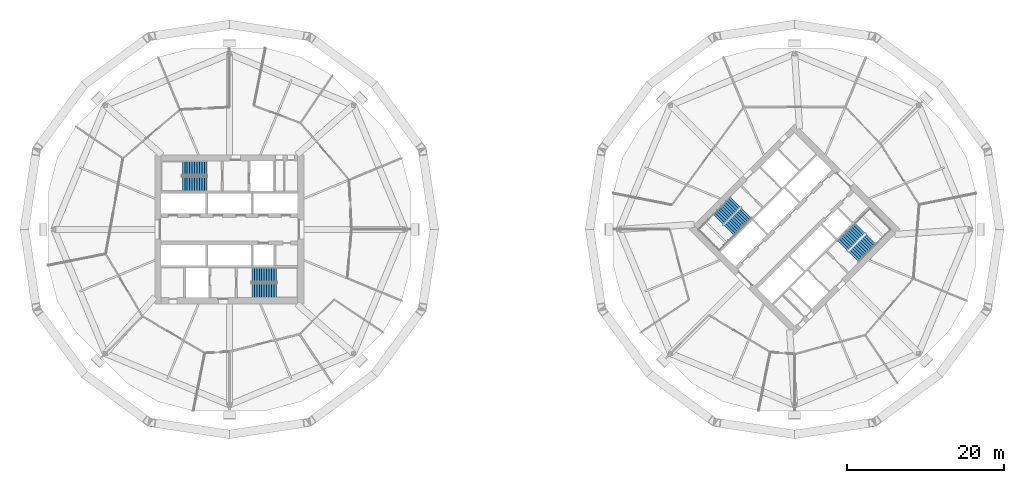
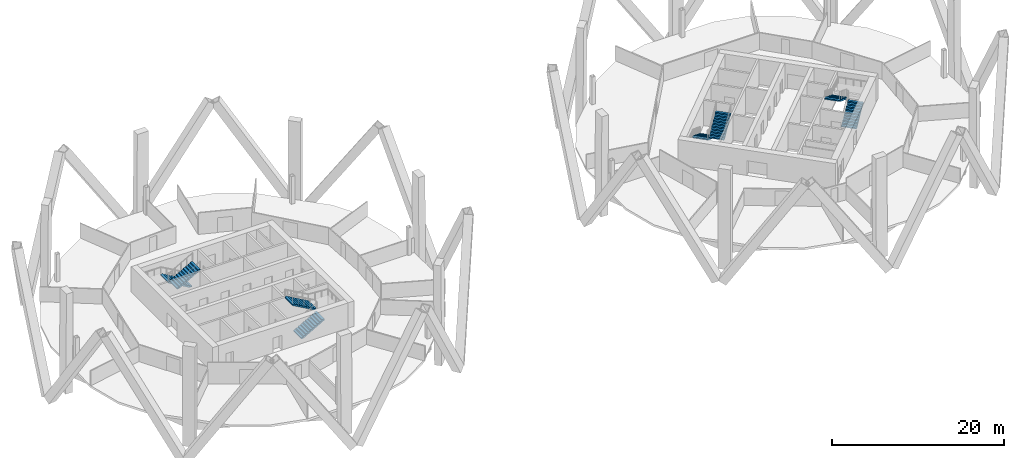
# One storey, part 8 of 10: 8 stair flights, 4 elements without a shape of their own.
"""IFC4 building model written with IfcOpenShell, lengths in metres."""

from ifc_helpers import new_model, si_unit, direction, frame, origin, place, context, subcontext, project, spatial, polyline, outline, extrude, material, type_object, element, aggregate, save


model = new_model("IFC4")

# Units and contexts
model_context = context("Model", 3, precision=1e-05, world=origin(), true_north=direction((0.0, 1.0)))
body_context = subcontext(model_context, "Body", "Model", "MODEL_VIEW")
ifc_project = project(units=[si_unit("LENGTHUNIT", "METRE"), si_unit("AREAUNIT", "SQUARE_METRE"), si_unit("VOLUMEUNIT", "CUBIC_METRE"), si_unit("PLANEANGLEUNIT", "RADIAN"), si_unit("MASSUNIT", "GRAM", prefix="KILO")], contexts=[model_context])

# Site, building, storey
site_placement = place(None, origin())
site = spatial("IfcSite", under=ifc_project, at=site_placement, CompositionType="ELEMENT")
building_placement = place(site_placement, origin())
building = spatial("IfcBuilding", under=site, at=building_placement, Name="Ogive Gate Towers", CompositionType="ELEMENT")
storey_placement = place(building_placement, frame((0.0, 0.0, 119.10009765625)))
storey = spatial("IfcBuildingStorey", under=building, at=storey_placement, Name="L28", CompositionType="ELEMENT", Elevation=119.10009765625)

# Stair, stair flights
ifc_material = material(Name="Concrete C40/50", Category="concrete")
stair_type = type_object("IfcStairType", Name="Escape stair 1840 wide", PredefinedType="HALF_TURN_STAIR", material=ifc_material)
stair_1_placement = place(storey_placement, origin())
stair_1 = element("IfcStair", 1, at=stair_1_placement, inside=storey, type_object=stair_type, Name="L28 Escape stair 1", PredefinedType="HALF_TURN_STAIR")
stair_flight_type = type_object("IfcStairFlightType", Name="Stair flight 1840 wide", PredefinedType="STRAIGHT", material=ifc_material)
stair_flight_1_placement = place(storey_placement, frame((-38.864990234375, 7.780029296875, 0.0), z_axis=(0.0, 0.0, 1.0), x_axis=(-1.0, 0.0, 0.0)))
stair_flight_1 = element("IfcStairFlight", 2, at=stair_flight_1_placement, type_object=stair_flight_type, Name="ST1 flight 1", NumberOfRisers=11, NumberOfTreads=10, PredefinedType="STRAIGHT", RiserHeight=0.177272727, TreadLength=0.313636364, context=body_context, shape_type="SweptSolid", body=[
    extrude(outline(polyline([(0.0, 0.0), (0.0, 0.17724609375), (0.313720703125, 0.17724609375), (0.313720703125, 0.3544921875), (0.627197265625, 0.3544921875), (0.627197265625, 0.53173828125), (0.94091796875, 0.53173828125), (0.94091796875, 0.708984375), (1.254638671875, 0.708984375), (1.254638671875, 0.886474609375), (1.568115234375, 0.886474609375), (1.568115234375, 1.063720703125), (1.8818359375, 1.063720703125), (1.8818359375, 1.240966796875), (2.195556640625, 1.240966796875), (2.195556640625, 1.418212890625), (2.509033203125, 1.418212890625), (2.509033203125, 1.595458984375), (2.82275390625, 1.595458984375), (2.82275390625, 1.772705078125), (3.136474609375, 1.772705078125), (3.136474609375, 1.949951171875), (3.136474609375, 1.6005859375), (0.3046875, 0.0), (0.0, 0.0)])), frame((0.0, 0.919921875, 0.0), z_axis=(0.0, -1.0, 0.0), x_axis=(1.0, 0.0, 0.0)), (0.0, 0.0, 1.0), 1.840087890625),
])
stair_flight_2_placement = place(storey_placement, frame((-42.00146484375, 5.794921875, 1.949951171875), z_axis=(0.0, 0.0, 1.0), x_axis=(1.0, 0.0, 0.0)))
stair_flight_2 = element("IfcStairFlight", 3, at=stair_flight_2_placement, type_object=stair_flight_type, Name="ST1 flight 2", NumberOfRisers=11, NumberOfTreads=10, PredefinedType="STRAIGHT", RiserHeight=0.177272727, TreadLength=0.313636364, context=body_context, shape_type="SweptSolid", body=[
    extrude(outline(polyline([(0.0, 0.0), (0.0, 0.17724609375), (0.313720703125, 0.17724609375), (0.313720703125, 0.3544921875), (0.627197265625, 0.3544921875), (0.627197265625, 0.53173828125), (0.94091796875, 0.53173828125), (0.94091796875, 0.708984375), (1.254638671875, 0.708984375), (1.254638671875, 0.886474609375), (1.568115234375, 0.886474609375), (1.568115234375, 1.063720703125), (1.8818359375, 1.063720703125), (1.8818359375, 1.240966796875), (2.195556640625, 1.240966796875), (2.195556640625, 1.418212890625), (2.509033203125, 1.418212890625), (2.509033203125, 1.595458984375), (2.82275390625, 1.595458984375), (2.82275390625, 1.772705078125), (3.136474609375, 1.772705078125), (3.136474609375, 1.949951171875), (3.136474609375, 1.6005859375), (0.3046875, 0.0), (0.0, 0.0)])), frame((0.0, 0.919921875, 0.0), z_axis=(0.0, -1.0, 0.0), x_axis=(1.0, 0.0, 0.0)), (0.0, 0.0, 1.0), 1.840087890625),
])
aggregate(stair_1, [stair_flight_1, stair_flight_2])

stair_2_placement = place(storey_placement, origin())
stair_2 = element("IfcStair", 4, at=stair_2_placement, inside=storey, type_object=stair_type, Name="L28 Escape stair 2", PredefinedType="HALF_TURN_STAIR")
stair_flight_3_placement = place(storey_placement, frame((-33.135009765625, -7.780029296875, 0.0), z_axis=(0.0, 0.0, 1.0), x_axis=(1.0, 0.0, 0.0)))
stair_flight_3 = element("IfcStairFlight", 5, at=stair_flight_3_placement, type_object=stair_flight_type, Name="ST2 flight 1", NumberOfRisers=11, NumberOfTreads=10, PredefinedType="STRAIGHT", RiserHeight=0.177272727, TreadLength=0.313636364, context=body_context, shape_type="SweptSolid", body=[
    extrude(outline(polyline([(0.0, 0.0), (0.0, 0.17724609375), (0.313720703125, 0.17724609375), (0.313720703125, 0.3544921875), (0.627197265625, 0.3544921875), (0.627197265625, 0.53173828125), (0.94091796875, 0.53173828125), (0.94091796875, 0.708984375), (1.254638671875, 0.708984375), (1.254638671875, 0.886474609375), (1.568115234375, 0.886474609375), (1.568115234375, 1.063720703125), (1.8818359375, 1.063720703125), (1.8818359375, 1.240966796875), (2.195556640625, 1.240966796875), (2.195556640625, 1.418212890625), (2.509033203125, 1.418212890625), (2.509033203125, 1.595458984375), (2.82275390625, 1.595458984375), (2.82275390625, 1.772705078125), (3.136474609375, 1.772705078125), (3.136474609375, 1.949951171875), (3.136474609375, 1.6005859375), (0.3046875, 0.0), (0.0, 0.0)])), frame((0.0, 0.919921875, 0.0), z_axis=(0.0, -1.0, 0.0), x_axis=(1.0, 0.0, 0.0)), (0.0, 0.0, 1.0), 1.840087890625),
])
stair_flight_4_placement = place(storey_placement, frame((-29.99853515625, -5.794921875, 1.949951171875), z_axis=(0.0, 0.0, 1.0), x_axis=(-1.0, 0.0, 0.0)))
stair_flight_4 = element("IfcStairFlight", 6, at=stair_flight_4_placement, type_object=stair_flight_type, Name="ST2 flight 2", NumberOfRisers=11, NumberOfTreads=10, PredefinedType="STRAIGHT", RiserHeight=0.177272727, TreadLength=0.313636364, context=body_context, shape_type="SweptSolid", body=[
    extrude(outline(polyline([(0.0, 0.0), (0.0, 0.17724609375), (0.313720703125, 0.17724609375), (0.313720703125, 0.3544921875), (0.627197265625, 0.3544921875), (0.627197265625, 0.53173828125), (0.94091796875, 0.53173828125), (0.94091796875, 0.708984375), (1.254638671875, 0.708984375), (1.254638671875, 0.886474609375), (1.568115234375, 0.886474609375), (1.568115234375, 1.063720703125), (1.8818359375, 1.063720703125), (1.8818359375, 1.240966796875), (2.195556640625, 1.240966796875), (2.195556640625, 1.418212890625), (2.509033203125, 1.418212890625), (2.509033203125, 1.595458984375), (2.82275390625, 1.595458984375), (2.82275390625, 1.772705078125), (3.136474609375, 1.772705078125), (3.136474609375, 1.949951171875), (3.136474609375, 1.6005859375), (0.3046875, 0.0), (0.0, 0.0)])), frame((0.0, 0.919921875, 0.0), z_axis=(0.0, -1.0, 0.0), x_axis=(1.0, 0.0, 0.0)), (0.0, 0.0, 1.0), 1.840087890625),
])
aggregate(stair_2, [stair_flight_3, stair_flight_4])

stair_3_placement = place(storey_placement, origin())
stair_3 = element("IfcStair", 7, at=stair_3_placement, inside=storey, type_object=stair_type, Name="L28 Escape stair 1", PredefinedType="HALF_TURN_STAIR")
stair_flight_5_placement = place(storey_placement, frame((28.472900390625, 3.475341796875, 0.0), z_axis=(0.0, 0.0, 1.0), x_axis=(-0.707106781187, -0.707106781187, 0.0)))
stair_flight_5 = element("IfcStairFlight", 8, at=stair_flight_5_placement, type_object=stair_flight_type, Name="ST1 flight 1", NumberOfRisers=11, NumberOfTreads=10, PredefinedType="STRAIGHT", RiserHeight=0.177272727, TreadLength=0.313636364, context=body_context, shape_type="SweptSolid", body=[
    extrude(outline(polyline([(0.0, 0.0), (0.0, 0.17724609375), (0.313720703125, 0.17724609375), (0.313720703125, 0.3544921875), (0.627197265625, 0.3544921875), (0.627197265625, 0.53173828125), (0.94091796875, 0.53173828125), (0.94091796875, 0.708984375), (1.254638671875, 0.708984375), (1.254638671875, 0.886474609375), (1.568115234375, 0.886474609375), (1.568115234375, 1.063720703125), (1.8818359375, 1.063720703125), (1.8818359375, 1.240966796875), (2.195556640625, 1.240966796875), (2.195556640625, 1.418212890625), (2.509033203125, 1.418212890625), (2.509033203125, 1.595458984375), (2.82275390625, 1.595458984375), (2.82275390625, 1.772705078125), (3.136474609375, 1.772705078125), (3.136474609375, 1.949951171875), (3.136474609375, 1.6005859375), (0.3046875, 0.0), (0.0, 0.0)])), frame((0.0, 0.919921875, 0.0), z_axis=(0.0, -1.0, 0.0), x_axis=(1.0, 0.0, 0.0)), (0.0, 0.0, 1.0), 1.840087890625),
])
stair_flight_6_placement = place(storey_placement, frame((27.65869140625, -0.14599609375, 1.949951171875), z_axis=(0.0, 0.0, 1.0), x_axis=(0.707106781187, 0.707106781187, 0.0)))
stair_flight_6 = element("IfcStairFlight", 9, at=stair_flight_6_placement, type_object=stair_flight_type, Name="ST1 flight 2", NumberOfRisers=11, NumberOfTreads=10, PredefinedType="STRAIGHT", RiserHeight=0.177272727, TreadLength=0.313636364, context=body_context, shape_type="SweptSolid", body=[
    extrude(outline(polyline([(0.0, 0.0), (0.0, 0.17724609375), (0.313720703125, 0.17724609375), (0.313720703125, 0.3544921875), (0.627197265625, 0.3544921875), (0.627197265625, 0.53173828125), (0.94091796875, 0.53173828125), (0.94091796875, 0.708984375), (1.254638671875, 0.708984375), (1.254638671875, 0.886474609375), (1.568115234375, 0.886474609375), (1.568115234375, 1.063720703125), (1.8818359375, 1.063720703125), (1.8818359375, 1.240966796875), (2.195556640625, 1.240966796875), (2.195556640625, 1.418212890625), (2.509033203125, 1.418212890625), (2.509033203125, 1.595458984375), (2.82275390625, 1.595458984375), (2.82275390625, 1.772705078125), (3.136474609375, 1.772705078125), (3.136474609375, 1.949951171875), (3.136474609375, 1.6005859375), (0.3046875, 0.0), (0.0, 0.0)])), frame((0.0, 0.919921875, 0.0), z_axis=(0.0, -1.0, 0.0), x_axis=(1.0, 0.0, 0.0)), (0.0, 0.0, 1.0), 1.840087890625),
])
aggregate(stair_3, [stair_flight_5, stair_flight_6])

stair_4_placement = place(storey_placement, origin())
stair_4 = element("IfcStair", 10, at=stair_4_placement, inside=storey, type_object=stair_type, Name="L28 Escape stair 2", PredefinedType="HALF_TURN_STAIR")
stair_flight_7_placement = place(storey_placement, frame((43.527099609375, -3.475341796875, 0.0), z_axis=(0.0, 0.0, 1.0), x_axis=(0.707106781187, 0.707106781187, 0.0)))
stair_flight_7 = element("IfcStairFlight", 11, at=stair_flight_7_placement, type_object=stair_flight_type, Name="ST2 flight 1", NumberOfRisers=11, NumberOfTreads=10, PredefinedType="STRAIGHT", RiserHeight=0.177272727, TreadLength=0.313636364, context=body_context, shape_type="SweptSolid", body=[
    extrude(outline(polyline([(0.0, 0.0), (0.0, 0.17724609375), (0.313720703125, 0.17724609375), (0.313720703125, 0.3544921875), (0.627197265625, 0.3544921875), (0.627197265625, 0.53173828125), (0.94091796875, 0.53173828125), (0.94091796875, 0.708984375), (1.254638671875, 0.708984375), (1.254638671875, 0.886474609375), (1.568115234375, 0.886474609375), (1.568115234375, 1.063720703125), (1.8818359375, 1.063720703125), (1.8818359375, 1.240966796875), (2.195556640625, 1.240966796875), (2.195556640625, 1.418212890625), (2.509033203125, 1.418212890625), (2.509033203125, 1.595458984375), (2.82275390625, 1.595458984375), (2.82275390625, 1.772705078125), (3.136474609375, 1.772705078125), (3.136474609375, 1.949951171875), (3.136474609375, 1.6005859375), (0.3046875, 0.0), (0.0, 0.0)])), frame((0.0, 0.919921875, 0.0), z_axis=(0.0, -1.0, 0.0), x_axis=(1.0, 0.0, 0.0)), (0.0, 0.0, 1.0), 1.840087890625),
])
stair_flight_8_placement = place(storey_placement, frame((44.34130859375, 0.14599609375, 1.949951171875), z_axis=(0.0, 0.0, 1.0), x_axis=(-0.707106781187, -0.707106781187, 0.0)))
stair_flight_8 = element("IfcStairFlight", 12, at=stair_flight_8_placement, type_object=stair_flight_type, Name="ST2 flight 2", NumberOfRisers=11, NumberOfTreads=10, PredefinedType="STRAIGHT", RiserHeight=0.177272727, TreadLength=0.313636364, context=body_context, shape_type="SweptSolid", body=[
    extrude(outline(polyline([(0.0, 0.0), (0.0, 0.17724609375), (0.313720703125, 0.17724609375), (0.313720703125, 0.3544921875), (0.627197265625, 0.3544921875), (0.627197265625, 0.53173828125), (0.94091796875, 0.53173828125), (0.94091796875, 0.708984375), (1.254638671875, 0.708984375), (1.254638671875, 0.886474609375), (1.568115234375, 0.886474609375), (1.568115234375, 1.063720703125), (1.8818359375, 1.063720703125), (1.8818359375, 1.240966796875), (2.195556640625, 1.240966796875), (2.195556640625, 1.418212890625), (2.509033203125, 1.418212890625), (2.509033203125, 1.595458984375), (2.82275390625, 1.595458984375), (2.82275390625, 1.772705078125), (3.136474609375, 1.772705078125), (3.136474609375, 1.949951171875), (3.136474609375, 1.6005859375), (0.3046875, 0.0), (0.0, 0.0)])), frame((0.0, 0.919921875, 0.0), z_axis=(0.0, -1.0, 0.0), x_axis=(1.0, 0.0, 0.0)), (0.0, 0.0, 1.0), 1.840087890625),
])
aggregate(stair_4, [stair_flight_7, stair_flight_8])

save(model, "model.ifc")
